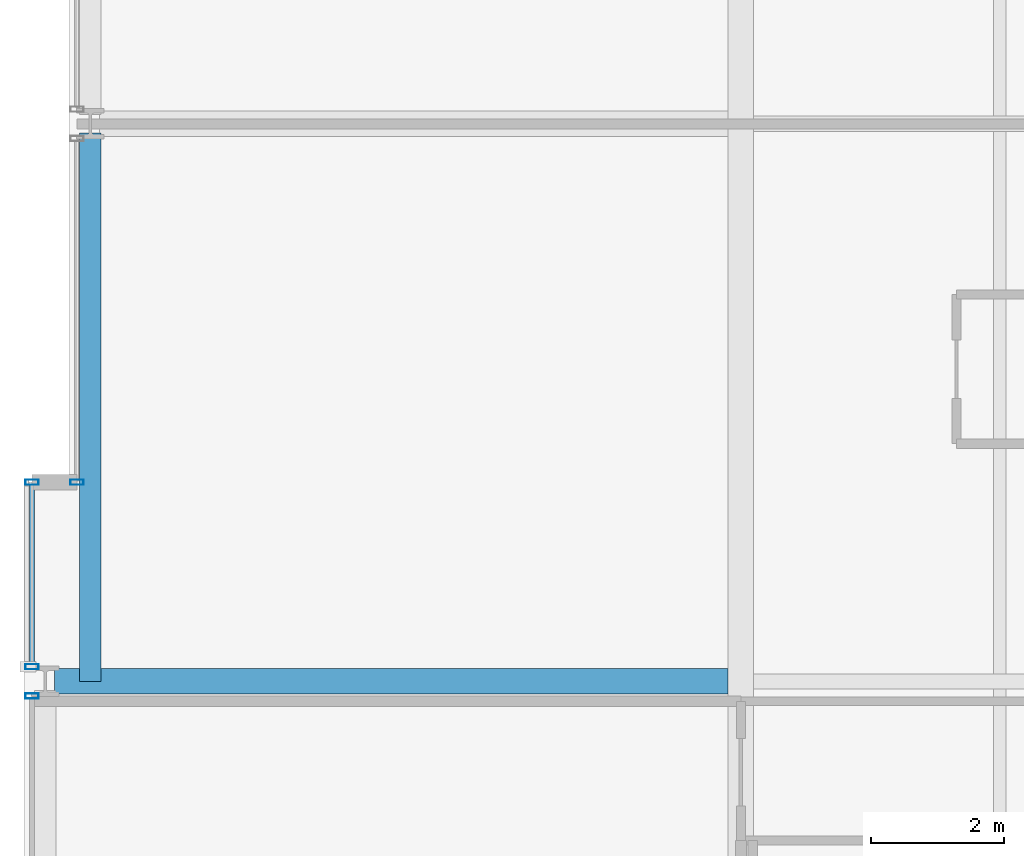
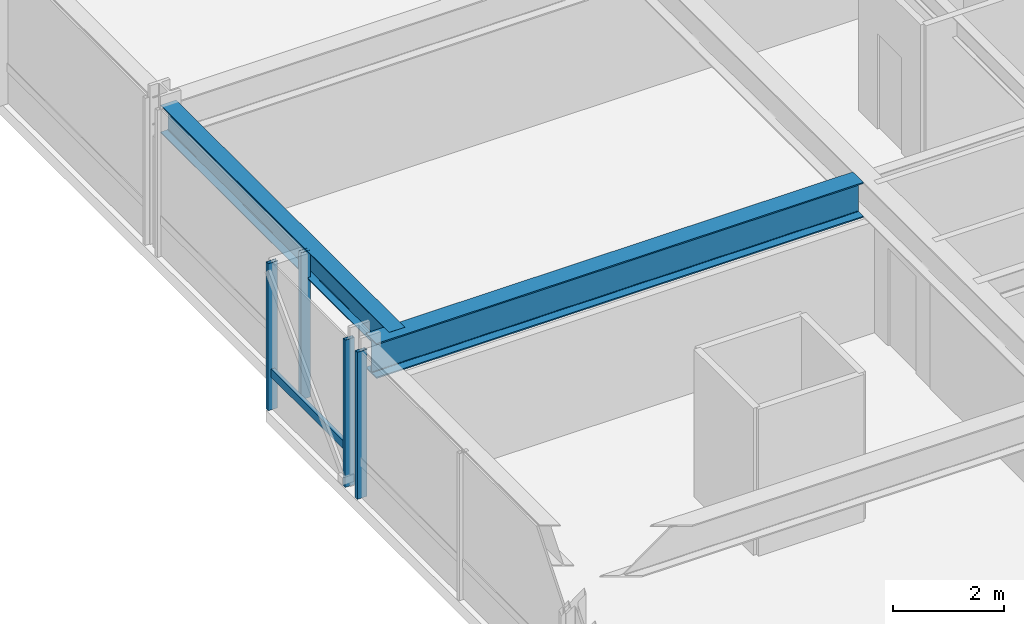
# One storey, part 7 of 34: 5 members, 2 beams, 3 elements without a shape of their own.
"""IFC4 building model written with IfcOpenShell, lengths in metres."""

from ifc_helpers import new_model, si_unit, direction, frame, origin, origin_2d, place, context, subcontext, project, spatial, hollow_rectangle, i_section, extrude, material, layer, layer_set, material_profile, profile_set, type_object, element, aggregate, save


model = new_model("IFC4")

# Units and contexts
model_context = context("Model", 3, precision=1e-05, world=origin(), true_north=direction((0.0, 1.0)))
body_context = subcontext(model_context, "Body", "Model", "MODEL_VIEW")
ifc_project = project(units=[si_unit("LENGTHUNIT", "METRE"), si_unit("AREAUNIT", "SQUARE_METRE"), si_unit("VOLUMEUNIT", "CUBIC_METRE"), si_unit("PLANEANGLEUNIT", "RADIAN"), si_unit("MASSUNIT", "GRAM", prefix="KILO")], contexts=[model_context])

# Site, building, storey
site_placement = place(None, origin())
site = spatial("IfcSite", under=ifc_project, at=site_placement, CompositionType="ELEMENT")
building_placement = place(site_placement, origin())
building = spatial("IfcBuilding", under=site, at=building_placement, Name="Drelvath Grand Hotel", CompositionType="ELEMENT")
storey_placement = place(building_placement, frame((0.0, 0.0, 112.800048828125)))
storey = spatial("IfcBuildingStorey", under=building, at=storey_placement, Name="L28", CompositionType="ELEMENT", Elevation=112.800048828125)

# Curtain wall, member
ifc_material_1 = material(Name="Champagne Bronze Anodised Aluminium Frame", Category="aluminium")
ifc_layer = layer(ifc_material_1, 0.199951171875)
ifc_layer_set = layer_set([ifc_layer], Name="Champagne Bronze Anodised Aluminium Frame")
curtain_wall_type = type_object("IfcCurtainWallType", Name="Stick Curtain Wall CW-03 Champagne Bronze Mid-Rise", PredefinedType="NOTDEFINED", material=ifc_layer_set)
curtain_wall_1_placement = place(storey_placement, origin())
curtain_wall_1 = element("IfcCurtainWall", 1, at=curtain_wall_1_placement, inside=storey, type_object=curtain_wall_type, Name="L28 CW-03 Curtain Wall CW03-L28-WS3", PredefinedType="NOTDEFINED")
ifc_material_profile_1 = material_profile(ifc_material_1, hollow_rectangle(XDim=0.074951171875, YDim=0.179931640625, WallThickness=0.0048828125, at=origin_2d()), Name="HSS180X75X5")
ifc_profile_set_1 = profile_set([ifc_material_profile_1], Name="Champagne Bronze Anodised Aluminium Frame")
member_type_1 = type_object("IfcMemberType", Name="Curtain Wall Horizontal Transom CW-03 HSS180X75X5", PredefinedType="USERDEFINED", material=ifc_profile_set_1)
member_1_placement = place(storey_placement, frame((-26.8798828125, 18.859619140625, 0.81005859375), z_axis=(0.0, 1.0, 0.0), x_axis=(-1.0, 0.0, 0.0)))
member_1 = element("IfcMember", 2, at=member_1_placement, type_object=member_type_1, Name="CW03-L28-WS3 Sill Transom", ObjectType="TRANSOM", PredefinedType="USERDEFINED", context=body_context, shape_type="SweptSolid", body=[
    extrude(hollow_rectangle(XDim=0.074951171875, YDim=0.179931640625, WallThickness=0.0048828125, at=origin_2d()), origin(), (0.0, 0.0, 1.0), 2.700439453125),
])

curtain_wall_2_placement = place(storey_placement, origin())
curtain_wall_2 = element("IfcCurtainWall", 3, at=curtain_wall_2_placement, inside=storey, type_object=curtain_wall_type, Name="L28 CW-03 Curtain Wall CW03-L28-WS2", PredefinedType="NOTDEFINED")
ifc_material_profile_2 = material_profile(ifc_material_1, hollow_rectangle(XDim=0.080078125, YDim=0.199951171875, WallThickness=0.0048828125, at=origin_2d()), Name="HSS200X80X5")
ifc_profile_set_2 = profile_set([ifc_material_profile_2], Name="Champagne Bronze Anodised Aluminium Frame")
member_type_2 = type_object("IfcMemberType", Name="Curtain Wall Vertical Mullion CW-03 HSS200X80X5", PredefinedType="MULLION", material=ifc_profile_set_2)
member_2_placement = place(storey_placement, frame((-26.8798828125, 18.38037109375, 0.0), z_axis=(0.0, 0.0, 1.0), x_axis=(0.0, 1.0, 0.0)))
member_2 = element("IfcMember", 4, at=member_2_placement, type_object=member_type_2, Name="CW03-L28-WS2 Mullion 3", PredefinedType="MULLION", context=body_context, shape_type="SweptSolid", body=[
    extrude(hollow_rectangle(XDim=0.080078125, YDim=0.199951171875, WallThickness=0.0048828125, at=origin_2d()), origin(), (0.0, 0.0, 1.0), 3.239990234375),
])
aggregate(curtain_wall_2, [member_2])

# Member
member_3_placement = place(storey_placement, frame((-26.8798828125, 18.819580078125, 0.0), z_axis=(0.0, 0.0, 1.0), x_axis=(0.0, 1.0, 0.0)))
member_3 = element("IfcMember", 5, at=member_3_placement, type_object=member_type_2, Name="CW03-L28-WS3 Mullion 1", PredefinedType="MULLION", context=body_context, shape_type="SweptSolid", body=[
    extrude(hollow_rectangle(XDim=0.080078125, YDim=0.199951171875, WallThickness=0.0048828125, at=origin_2d()), origin(), (0.0, 0.0, 1.0), 3.239990234375),
])

member_4_placement = place(storey_placement, frame((-26.8798828125, 21.60009765625, 0.0), z_axis=(0.0, 0.0, 1.0), x_axis=(0.0, 1.0, 0.0)))
member_4 = element("IfcMember", 6, at=member_4_placement, type_object=member_type_2, Name="CW03-L28-WS3 Mullion 2", PredefinedType="MULLION", context=body_context, shape_type="SweptSolid", body=[
    extrude(hollow_rectangle(XDim=0.080078125, YDim=0.199951171875, WallThickness=0.0048828125, at=origin_2d()), origin(), (0.0, 0.0, 1.0), 3.239990234375),
])

aggregate(curtain_wall_1, [member_3, member_4, member_1])

# Curtain wall, member
curtain_wall_3_placement = place(storey_placement, origin())
curtain_wall_3 = element("IfcCurtainWall", 7, at=curtain_wall_3_placement, inside=storey, type_object=curtain_wall_type, Name="L28 CW-03 Curtain Wall CW03-L28-WM1", PredefinedType="NOTDEFINED")
member_5_placement = place(storey_placement, frame((-26.199951171875, 21.60009765625, 0.0), z_axis=(0.0, 0.0, 1.0), x_axis=(0.0, 1.0, 0.0)))
member_5 = element("IfcMember", 8, at=member_5_placement, type_object=member_type_2, Name="CW03-L28-WM1 Mullion 1", PredefinedType="MULLION", context=body_context, shape_type="SweptSolid", body=[
    extrude(hollow_rectangle(XDim=0.080078125, YDim=0.199951171875, WallThickness=0.0048828125, at=origin_2d()), origin(), (0.0, 0.0, 1.0), 3.239990234375),
])
aggregate(curtain_wall_3, [member_5])

# Beams
ifc_material_2 = material(Name="Steel ASTM A992 Gr 50", Category="steel")
ifc_material_profile_3 = material_profile(ifc_material_2, i_section(OverallWidth=0.323974609375, OverallDepth=0.611083984375, WebThickness=0.0126953125, FlangeThickness=0.01904296875, FilletRadius=0.02197265625, at=origin_2d()), Name="W24X104")
ifc_profile_set_3 = profile_set([ifc_material_profile_3], Name="Steel ASTM A992 Gr 50")
beam_type_1 = type_object("IfcBeamType", Name="Perimeter Spandrel Beam W24X104", PredefinedType="SPANDREL", material=ifc_profile_set_3)
beam_1_placement = place(storey_placement, frame((-26.0, 18.60009765625, 2.9345703125), z_axis=(0.0, 1.0, 0.0), x_axis=(-1.0, 0.0, 0.0)))
element("IfcBeam", 9, at=beam_1_placement, inside=storey, type_object=beam_type_1, Name="L28 Spandrel West Mid S", PredefinedType="SPANDREL", context=body_context, shape_type="SweptSolid", body=[
    extrude(i_section(OverallWidth=0.323974609375, OverallDepth=0.611083984375, WebThickness=0.0126953125, FlangeThickness=0.01904296875, FilletRadius=0.02197265625, at=origin_2d()), origin(), (0.0, 0.0, 1.0), 8.260009765625),
])
ifc_material_profile_4 = material_profile(ifc_material_2, i_section(OverallWidth=0.380615234375, OverallDepth=0.773193359375, WebThickness=0.0166015625, FlangeThickness=0.027099609375, FilletRadius=0.02490234375, at=origin_2d()), Name="W30X173")
ifc_profile_set_4 = profile_set([ifc_material_profile_4], Name="Steel ASTM A992 Gr 50")
beam_type_2 = type_object("IfcBeamType", Name="Primary Floor Girder W30X173", PredefinedType="BEAM", material=ifc_profile_set_4)
beam_2_placement = place(storey_placement, frame((-26.5400390625, 18.60009765625, 2.853271484375), z_axis=(1.0, 0.0, 0.0), x_axis=(0.0, 1.0, 0.0)))
element("IfcBeam", 10, at=beam_2_placement, inside=storey, type_object=beam_type_2, Name="L28 West Wing Girder D", PredefinedType="BEAM", context=body_context, shape_type="SweptSolid", body=[
    extrude(i_section(OverallWidth=0.380615234375, OverallDepth=0.773193359375, WebThickness=0.0166015625, FlangeThickness=0.027099609375, FilletRadius=0.02490234375, at=origin_2d()), origin(), (0.0, 0.0, 1.0), 10.149658203125),
])

save(model, "model.ifc")
